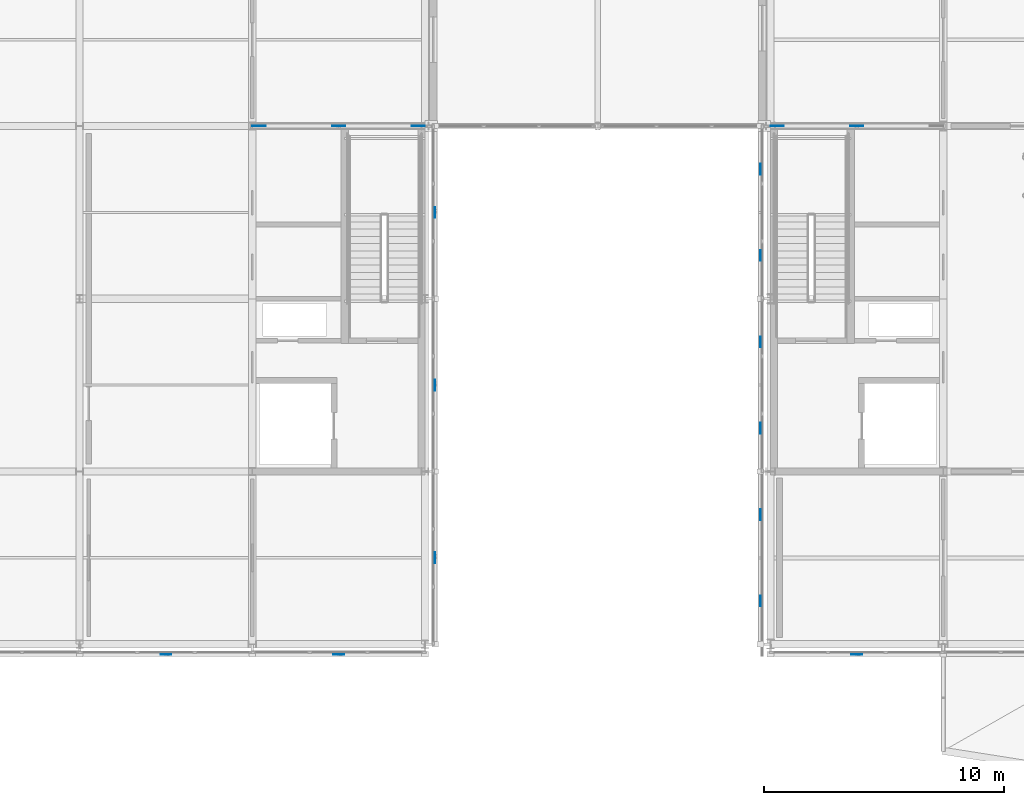
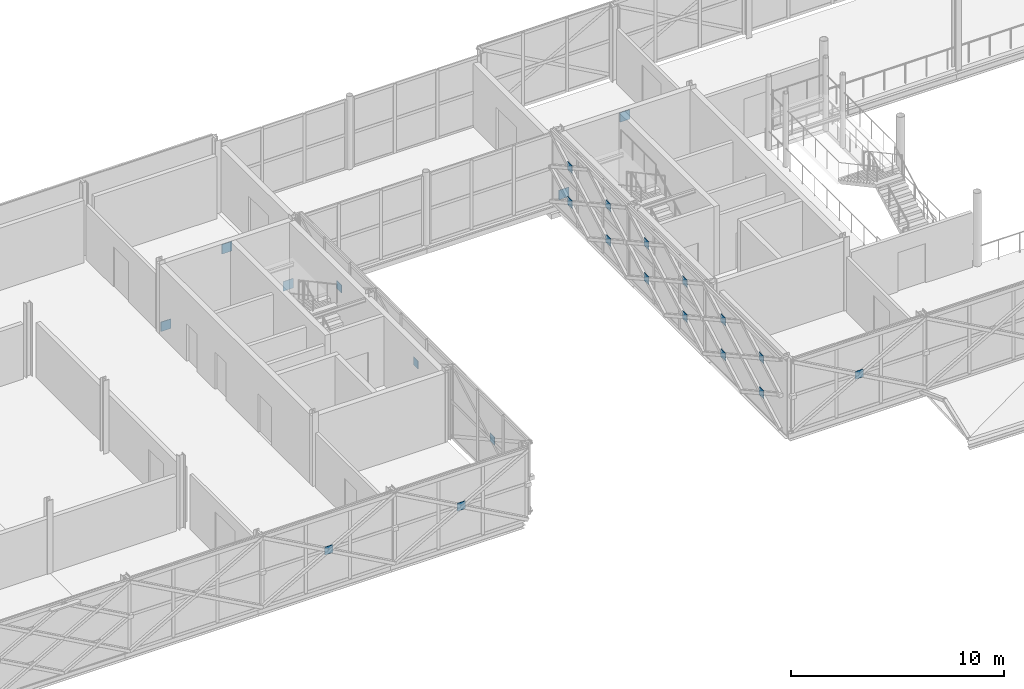
# One storey, part 98 of 146: 23 plates.
"""IFC4 building model written with IfcOpenShell, lengths in metres."""

import ifcopenshell
import ifcopenshell.guid

model = None  # the IFC model being written
_history = None  # IfcOwnerHistory: only IFC2X3 demands one
_inside = {}  # id of a spatial element -> (the spatial element, [elements in it])
_under = {}  # id of a project, library or spatial element -> (it, [spatial elements below it])
_declared = {}  # id of a project -> (the project, [libraries it declares])
_typed = {}  # id of a type object -> (the type object, [elements of that type])
_made_of = {}  # id of a material, layer set ... -> (it, [elements and type objects made of it])


def new_model(schema):
    """Start an empty IFC model of exactly this schema.

    Asked for "IFC4X3", IfcOpenShell would pick the latest addendum, in which some entities
    have other attributes; the version numbers below select the first issue.
    IFC2X3 requires an IfcOwnerHistory on every rooted entity: one is made here for all.
    """
    global model, _history
    if schema == "IFC4X3":
        model = ifcopenshell.file(schema_version=(4, 3, 0, 0))
    else:
        model = ifcopenshell.file(schema=schema)
    _inside.clear()
    _under.clear()
    _declared.clear()
    _typed.clear()
    _made_of.clear()
    _history = None
    if model.schema == "IFC2X3":
        org = make("IfcOrganization", Name="unknown")
        user = make(
            "IfcPersonAndOrganization",
            ThePerson=make("IfcPerson", FamilyName="unknown"),
            TheOrganization=org,
        )
        app = make(
            "IfcApplication",
            ApplicationDeveloper=org,
            Version="unknown",
            ApplicationFullName="unknown",
            ApplicationIdentifier="unknown",
        )
        _history = make(
            "IfcOwnerHistory",
            OwningUser=user,
            OwningApplication=app,
            ChangeAction="ADDED",
            CreationDate=0,
        )
    return model


def make(cls, **values):
    """One entity of the class cls with the attributes given. An attribute that is None is left unset."""
    return model.create_entity(
        cls, **{name: value for name, value in values.items() if value is not None}
    )


def rooted(cls, **values):
    """An entity with a GlobalId (a new one), such as an element, a storey or a relation."""
    return make(cls, GlobalId=ifcopenshell.guid.new(), OwnerHistory=_history, **values)


def si_unit(unit_type, name, prefix=None):
    """IfcSIUnit, for example si_unit("LENGTHUNIT", "METRE", prefix="MILLI")."""
    return make("IfcSIUnit", UnitType=unit_type, Prefix=prefix, Name=name)


def assignment(units):
    """IfcUnitAssignment: the units of a project."""
    return None if units is None else make("IfcUnitAssignment", Units=units)


def point(xyz):
    """IfcCartesianPoint."""
    return None if xyz is None else make("IfcCartesianPoint", Coordinates=xyz)


def direction(xyz):
    """IfcDirection."""
    return None if xyz is None else make("IfcDirection", DirectionRatios=xyz)


def frame(location, z_axis=None, x_axis=None):
    """IfcAxis2Placement3D, a coordinate frame: its origin and axes. An axis left out is left unset."""
    return make(
        "IfcAxis2Placement3D",
        Location=point(location),
        Axis=direction(z_axis),
        RefDirection=direction(x_axis),
    )


def frame_2d(location, x_axis=None):
    """IfcAxis2Placement2D, a coordinate frame in the plane: its origin and x axis."""
    return make(
        "IfcAxis2Placement2D", Location=point(location), RefDirection=direction(x_axis)
    )


def origin():
    """The frame at (0, 0, 0) with its axes left unset."""
    return frame((0.0, 0.0, 0.0))


def origin_2d():
    """The frame at (0, 0) in the plane with its x axis left unset."""
    return frame_2d((0.0, 0.0))


def place(relative_to, where):
    """IfcLocalPlacement: puts the frame where relative to a parent placement (None: the world)."""
    return make(
        "IfcLocalPlacement", PlacementRelTo=relative_to, RelativePlacement=where
    )


def context(
    kind, dimensions, precision=None, world=None, true_north=None, identifier=None
):
    """IfcGeometricRepresentationContext, for example the 3D "Model" context."""
    return make(
        "IfcGeometricRepresentationContext",
        ContextIdentifier=identifier,
        ContextType=kind,
        CoordinateSpaceDimension=dimensions,
        Precision=precision,
        WorldCoordinateSystem=world,
        TrueNorth=true_north,
    )


def subcontext(parent, identifier, kind, view, scale=None):
    """IfcGeometricRepresentationSubContext, for example "Body" below "Model"."""
    return make(
        "IfcGeometricRepresentationSubContext",
        ContextIdentifier=identifier,
        ContextType=kind,
        ParentContext=parent,
        TargetScale=scale,
        TargetView=view,
    )


def project(units=None, contexts=None):
    """IfcProject with its units and contexts."""
    return rooted(
        "IfcProject",
        Name="project",
        RepresentationContexts=contexts,
        UnitsInContext=assignment(units),
    )


def spatial(cls, under=None, at=None, **own):
    """A site, building, storey or space (cls), placed at a placement, below another one or the project."""
    s = rooted(cls, ObjectPlacement=at, **own)
    if under is not None:
        _under.setdefault(under.id(), (under, []))[1].append(s)
    return s


def profile(cls, at=None, kind="AREA", **sizes):
    """A parametric profile (cls). Its sizes go by their IFC names, for example OverallWidth=200.0."""
    return make(cls, ProfileType=kind, Position=at, **sizes)


def rectangle(**sizes):
    """IfcRectangleProfileDef."""
    return profile("IfcRectangleProfileDef", **sizes)


def extrude(swept, where, along, depth):
    """IfcExtrudedAreaSolid: the profile swept, set in the frame where, extruded along a direction by depth."""
    return make(
        "IfcExtrudedAreaSolid",
        SweptArea=swept,
        Position=where,
        ExtrudedDirection=direction(along),
        Depth=depth,
    )


def shape(context_of_items, identifier, shape_type, items):
    """IfcShapeRepresentation: the items that make up one representation, for example the "Body"."""
    return make(
        "IfcShapeRepresentation",
        ContextOfItems=context_of_items,
        RepresentationIdentifier=identifier,
        RepresentationType=shape_type,
        Items=items,
    )


def material(Name=None, Category=None):
    """IfcMaterial."""
    return make("IfcMaterial", Name=Name, Category=Category)


def layer(
    of_material, thickness, ventilated=None, Name=None, Category=None, Priority=None
):
    """IfcMaterialLayer: one layer of a wall or slab, of a material (None: an air gap)."""
    return make(
        "IfcMaterialLayer",
        Material=of_material,
        LayerThickness=thickness,
        IsVentilated=ventilated,
        Name=Name,
        Category=Category,
        Priority=Priority,
    )


def layer_set(layers, Name=None):
    """IfcMaterialLayerSet."""
    return make("IfcMaterialLayerSet", MaterialLayers=layers, LayerSetName=Name)


def made_of(thing, what):
    """Note that an element or type object is made of a material, layer set ...; save() writes the relation."""
    if what is not None:
        _made_of.setdefault(what.id(), (what, []))[1].append(thing)
    return thing


def type_object(cls, material=None, **own):
    """A type object (cls), such as IfcWallType, which elements share."""
    return made_of(rooted(cls, **own), material)


def element(
    cls,
    number,
    at=None,
    inside=None,
    cuts=None,
    type_object=None,
    material=None,
    context=None,
    identifier="Body",
    shape_type=None,
    held_by="IfcProductDefinitionShape",
    body=None,
    shapes=None,
    **own,
):
    """One element of the class cls, such as IfcWall. Its Tag is "e" and its number.

    at: its placement. inside: the storey or other place that contains it. cuts: it is an
    opening in that element (IfcRelVoidsElement). A single representation is given by context,
    identifier, shape_type and body (its items); several are given by shapes. held_by: the class
    of the entity that holds the representations. save() writes the other relations.
    """
    e = rooted(cls, Tag="e%d" % number, ObjectPlacement=at, **own)
    if body is not None:
        shapes = [shape(context, identifier, shape_type, body)]
    if shapes is not None:
        e.Representation = make(held_by, Representations=shapes)
    if inside is not None:
        _inside.setdefault(inside.id(), (inside, []))[1].append(e)
    if cuts is not None:
        rooted(
            "IfcRelVoidsElement", RelatingBuildingElement=cuts, RelatedOpeningElement=e
        )
    if type_object is not None:
        _typed.setdefault(type_object.id(), (type_object, []))[1].append(e)
    return made_of(e, material)


def aggregate(whole, parts):
    """IfcRelAggregates: a whole, such as a stair, and the parts it consists of."""
    return rooted("IfcRelAggregates", RelatingObject=whole, RelatedObjects=parts)


def save(model, path):
    """Write the relations noted so far, then the file.

    IfcRelAggregates (storeys below a building ...), IfcRelContainedInSpatialStructure (elements
    in a storey), IfcRelDefinesByType, IfcRelAssociatesMaterial and IfcRelDeclares: one each for
    every whole, place, type object, material and project.
    """
    for whole, parts in _under.values():
        aggregate(whole, parts)
    for where, things in _inside.values():
        rooted(
            "IfcRelContainedInSpatialStructure",
            RelatedElements=things,
            RelatingStructure=where,
        )
    for kind, things in _typed.values():
        rooted("IfcRelDefinesByType", RelatedObjects=things, RelatingType=kind)
    for what, things in _made_of.values():
        rooted("IfcRelAssociatesMaterial", RelatedObjects=things, RelatingMaterial=what)
    for by, libraries in _declared.values():
        rooted("IfcRelDeclares", RelatingContext=by, RelatedDefinitions=libraries)
    model.write(path)


model = new_model("IFC4")

# Units and contexts
model_context = context("Model", 3, precision=1e-05, world=origin(), true_north=direction((0.0, 1.0)))
body_context = subcontext(model_context, "Body", "Model", "MODEL_VIEW")
ifc_project = project(units=[si_unit("LENGTHUNIT", "METRE"), si_unit("AREAUNIT", "SQUARE_METRE"), si_unit("VOLUMEUNIT", "CUBIC_METRE"), si_unit("PLANEANGLEUNIT", "RADIAN"), si_unit("MASSUNIT", "GRAM", prefix="KILO")], contexts=[model_context])

# Site, building, storey
site_placement = place(None, origin())
site = spatial("IfcSite", under=ifc_project, at=site_placement, CompositionType="ELEMENT")
building_placement = place(site_placement, origin())
building = spatial("IfcBuilding", under=site, at=building_placement, Name="Zlatovets Crest Museum", CompositionType="ELEMENT")
storey_placement = place(building_placement, frame((0.0, 0.0, 4.5)))
storey = spatial("IfcBuildingStorey", under=building, at=storey_placement, Name="L01", CompositionType="ELEMENT", Elevation=4.5)

# Plates
ifc_material = material(Name="Structural steel S355J2", Category="steel")
ifc_layer_1 = layer(ifc_material, 0.02490234375)
ifc_layer_set_1 = layer_set([ifc_layer_1], Name="Structural steel S355J2")
plate_type_1 = type_object("IfcPlateType", Name="Gusset_GP-01", PredefinedType="USERDEFINED", material=ifc_layer_set_1)
for number, where, z_axis, x_axis, name in (
    (1, (57.8798828125, 21.60009765625, 0.0048828125), (0.0, 0.0, 1.0), (1.0, 0.0, 0.0), "V2 L01 Brace End Gusset Plate GP-01"),
    (2, (61.199951171875, 21.60009765625, 3.294921875), (0.0, 0.0, 1.0), (1.0, 0.0, 0.0), "V2 L01 Brace End Gusset Plate GP-01"),
    (3, (36.280029296875, 21.60009765625, 0.0048828125), (0.0, 0.0, 1.0), (1.0, 0.0, 0.0), "V3 L01 Brace End Gusset Plate GP-01"),
    (4, (42.919921875, 21.60009765625, 0.0048828125), (0.0, 0.0, 1.0), (1.0, 0.0, 0.0), "V3 L01 Brace End Gusset Plate GP-01"),
    (5, (39.60009765625, 21.60009765625, 3.294921875), (0.0, 0.0, 1.0), (1.0, 0.0, 0.0), "V3 L01 Brace End Gusset Plate GP-01"),
):
    element("IfcPlate", number, at=place(storey_placement, frame(where, z_axis=z_axis, x_axis=x_axis)), inside=storey, type_object=plate_type_1, Name=name, ObjectType="GUSSET", PredefinedType="USERDEFINED", context=body_context, shape_type="SweptSolid", body=[
        extrude(rectangle(XDim=0.550048828125, YDim=0.02490234375, at=origin_2d()), origin(), (0.0, 0.0, 1.0), 0.550048828125),
    ])
ifc_layer_2 = layer(ifc_material, 0.02001953125)
ifc_layer_set_2 = layer_set([ifc_layer_2], Name="Structural steel S355J2")
plate_type_2 = type_object("IfcPlateType", Name="Gusset_GP-04", PredefinedType="USERDEFINED", material=ifc_layer_set_2)
plate_placement = place(storey_placement, frame((61.199951171875, -0.419921875, 1.875), z_axis=(0.0, 0.0, 1.0), x_axis=(1.0, 0.0, 0.0)))
element("IfcPlate", 6, at=plate_placement, inside=storey, type_object=plate_type_2, Name="X-Brace Crossing Node Gusset Plate GP-04", ObjectType="GUSSET", PredefinedType="USERDEFINED", context=body_context, shape_type="SweptSolid", body=[
    extrude(rectangle(XDim=0.449951171875, YDim=0.02001953125, at=origin_2d()), origin(), (0.0, 0.0, 1.0), 0.449951171875),
])
for number, where, z_axis, x_axis, name in (
    (7, (57.179931640625, 19.800048828125, 0.875), (0.0, 0.0, 1.0), (1.0, 0.0, 0.0), "X-Brace Crossing Node Gusset Plate GP-04"),
    (8, (57.179931640625, 16.199951171875, 0.875), (0.0, 0.0, 1.0), (1.0, 0.0, 0.0), "X-Brace Crossing Node Gusset Plate GP-04"),
    (9, (57.179931640625, 19.800048828125, 2.875), (0.0, 0.0, 1.0), (1.0, 0.0, 0.0), "X-Brace Crossing Node Gusset Plate GP-04"),
    (10, (57.179931640625, 16.199951171875, 2.875), (0.0, 0.0, 1.0), (1.0, 0.0, 0.0), "X-Brace Crossing Node Gusset Plate GP-04"),
    (11, (57.179931640625, 12.60009765625, 0.875), (0.0, 0.0, 1.0), (1.0, 0.0, 0.0), "X-Brace Crossing Node Gusset Plate GP-04"),
    (12, (57.179931640625, 9.0, 0.875), (0.0, 0.0, 1.0), (1.0, 0.0, 0.0), "X-Brace Crossing Node Gusset Plate GP-04"),
    (13, (57.179931640625, 12.60009765625, 2.875), (0.0, 0.0, 1.0), (1.0, 0.0, 0.0), "X-Brace Crossing Node Gusset Plate GP-04"),
    (14, (57.179931640625, 9.0, 2.875), (0.0, 0.0, 1.0), (1.0, 0.0, 0.0), "X-Brace Crossing Node Gusset Plate GP-04"),
    (15, (57.179931640625, 5.39990234375, 0.875), (0.0, 0.0, 1.0), (1.0, 0.0, 0.0), "X-Brace Crossing Node Gusset Plate GP-04"),
    (16, (57.179931640625, 1.800048828125, 0.875), (0.0, 0.0, 1.0), (1.0, 0.0, 0.0), "X-Brace Crossing Node Gusset Plate GP-04"),
    (17, (57.179931640625, 5.39990234375, 2.875), (0.0, 0.0, 1.0), (1.0, 0.0, 0.0), "X-Brace Crossing Node Gusset Plate GP-04"),
    (18, (57.179931640625, 1.800048828125, 2.875), (0.0, 0.0, 1.0), (1.0, 0.0, 0.0), "X-Brace Crossing Node Gusset Plate GP-04"),
):
    element("IfcPlate", number, at=place(storey_placement, frame(where, z_axis=z_axis, x_axis=x_axis)), inside=storey, type_object=plate_type_2, Name=name, ObjectType="GUSSET", PredefinedType="USERDEFINED", context=body_context, shape_type="SweptSolid", body=[
        extrude(rectangle(XDim=0.02001953125, YDim=0.449951171875, at=origin_2d()), origin(), (0.0, 0.0, 1.0), 0.449951171875),
    ])
for number, where, z_axis, x_axis, name in (
    (19, (32.39990234375, -0.419921875, 1.875), (0.0, 0.0, 1.0), (1.0, 0.0, 0.0), "X-Brace Crossing Node Gusset Plate GP-04"),
    (20, (39.60009765625, -0.419921875, 1.875), (0.0, 0.0, 1.0), (1.0, 0.0, 0.0), "X-Brace Crossing Node Gusset Plate GP-04"),
):
    element("IfcPlate", number, at=place(storey_placement, frame(where, z_axis=z_axis, x_axis=x_axis)), inside=storey, type_object=plate_type_2, Name=name, ObjectType="GUSSET", PredefinedType="USERDEFINED", context=body_context, shape_type="SweptSolid", body=[
        extrude(rectangle(XDim=0.449951171875, YDim=0.02001953125, at=origin_2d()), origin(), (0.0, 0.0, 1.0), 0.449951171875),
    ])
for number, where, z_axis, x_axis, name in (
    (21, (43.6201171875, 3.60009765625, 1.875), (0.0, 0.0, 1.0), (1.0, 0.0, 0.0), "X-Brace Crossing Node Gusset Plate GP-04"),
    (22, (43.6201171875, 10.800048828125, 1.875), (0.0, 0.0, 1.0), (1.0, 0.0, 0.0), "X-Brace Crossing Node Gusset Plate GP-04"),
    (23, (43.6201171875, 18.0, 1.875), (0.0, 0.0, 1.0), (1.0, 0.0, 0.0), "X-Brace Crossing Node Gusset Plate GP-04"),
):
    element("IfcPlate", number, at=place(storey_placement, frame(where, z_axis=z_axis, x_axis=x_axis)), inside=storey, type_object=plate_type_2, Name=name, ObjectType="GUSSET", PredefinedType="USERDEFINED", context=body_context, shape_type="SweptSolid", body=[
        extrude(rectangle(XDim=0.02001953125, YDim=0.449951171875, at=origin_2d()), origin(), (0.0, 0.0, 1.0), 0.449951171875),
    ])

save(model, "model.ifc")
